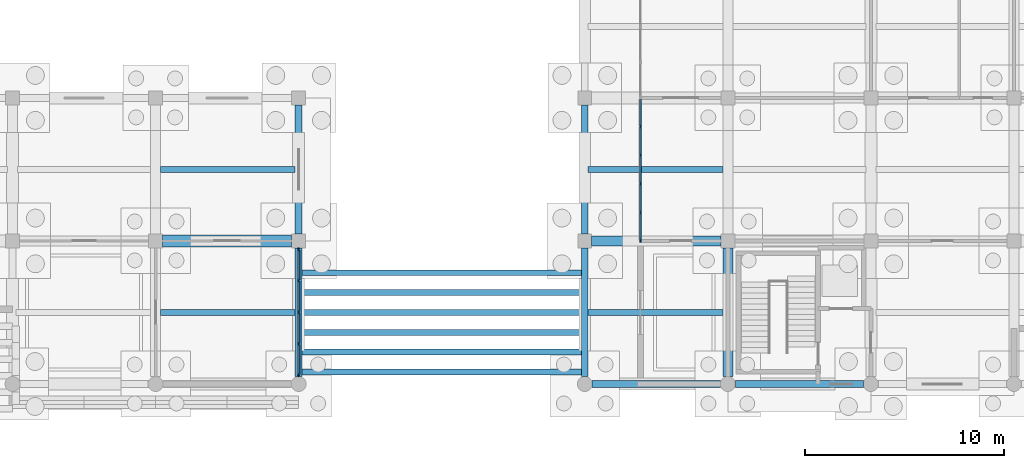
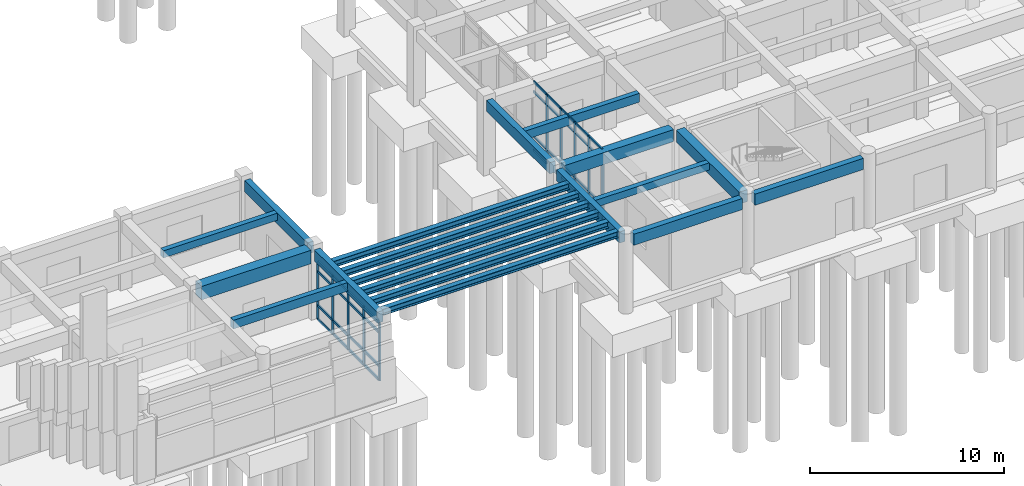
# One storey, part 23 of 79: 46 members, 19 beams, 2 elements without a shape of their own.
"""IFC4 building model written with IfcOpenShell, lengths in metres."""

from ifc_helpers import new_model, si_unit, direction, frame, origin, origin_2d, place, context, subcontext, project, spatial, rectangle, i_section, extrude, material, layer, layer_set, material_profile, profile_set, type_object, element, aggregate, save


model = new_model("IFC4")

# Units and contexts
model_context = context("Model", 3, precision=1e-05, world=origin(), true_north=direction((0.0, 1.0)))
body_context = subcontext(model_context, "Body", "Model", "MODEL_VIEW")
ifc_project = project(units=[si_unit("LENGTHUNIT", "METRE"), si_unit("AREAUNIT", "SQUARE_METRE"), si_unit("VOLUMEUNIT", "CUBIC_METRE"), si_unit("PLANEANGLEUNIT", "RADIAN"), si_unit("MASSUNIT", "GRAM", prefix="KILO")], contexts=[model_context])

# Site, building, storey
site_placement = place(None, origin())
site = spatial("IfcSite", under=ifc_project, at=site_placement, CompositionType="ELEMENT")
building_placement = place(site_placement, origin())
building = spatial("IfcBuilding", under=site, at=building_placement, Name="Kavelor Marine Aquarium", CompositionType="ELEMENT")
storey_placement = place(building_placement, origin())
storey = spatial("IfcBuildingStorey", under=building, at=storey_placement, Name="L00", CompositionType="ELEMENT", Elevation=0.0)

# Beams
ifc_material_1 = material(Name="Concrete C40/50", Category="concrete")
ifc_material_profile_1 = material_profile(ifc_material_1, rectangle(XDim=0.60009765625, YDim=0.85009765625, at=origin_2d()), Name="RC-BM 600x850")
ifc_profile_set_1 = profile_set([ifc_material_profile_1], Name="Concrete C40/50")
beam_type_1 = type_object("IfcBeamType", Name="BM-B1", PredefinedType="BEAM", material=ifc_profile_set_1)
beam_1_placement = place(storey_placement, frame((97.14990234375, 10.0, 3.955078125), z_axis=(1.0, 0.0, 0.0), x_axis=(0.0, 1.0, 0.0)))
element("IfcBeam", 1, at=beam_1_placement, inside=storey, type_object=beam_type_1, Name="bm:x:L00:L01:13_01", PredefinedType="BEAM", context=body_context, shape_type="SweptSolid", body=[
    extrude(rectangle(XDim=0.60009765625, YDim=0.85009765625, at=origin_2d()), origin(), (0.0, 0.0, 1.0), 6.5),
])
ifc_material_2 = material(Name="Concrete C40/50", Category="concrete")
ifc_material_profile_2 = material_profile(ifc_material_2, rectangle(XDim=0.5, YDim=0.75, at=origin_2d()), Name="RC-BM 500x750")
ifc_profile_set_2 = profile_set([ifc_material_profile_2], Name="Concrete C40/50")
beam_type_2 = type_object("IfcBeamType", Name="BM-B2", PredefinedType="BEAM", material=ifc_profile_set_2)
beam_2_placement = place(storey_placement, frame((118.75, 10.0, 4.0048828125), z_axis=(1.0, 0.0, 0.0), x_axis=(0.0, 1.0, 0.0)))
element("IfcBeam", 2, at=beam_2_placement, inside=storey, type_object=beam_type_2, Name="bm:x:L00:L01:16_01", PredefinedType="BEAM", context=body_context, shape_type="SweptSolid", body=[
    extrude(rectangle(XDim=0.5, YDim=0.75, at=origin_2d()), origin(), (0.0, 0.0, 1.0), 6.5),
])
beam_3_placement = place(storey_placement, frame((125.60009765625, 3.175048828125, 4.0048828125), z_axis=(0.0, 1.0, 0.0), x_axis=(-1.0, 0.0, 0.0)))
element("IfcBeam", 3, at=beam_3_placement, inside=storey, type_object=beam_type_2, Name="bm:y:L00:L01:17_00", PredefinedType="BEAM", context=body_context, shape_type="SweptSolid", body=[
    extrude(rectangle(XDim=0.5, YDim=0.75, at=origin_2d()), origin(), (0.0, 0.0, 1.0), 6.474853515625),
])
ifc_material_3 = material(Name="Concrete C40/50", Category="concrete")
ifc_material_profile_3 = material_profile(ifc_material_3, rectangle(XDim=0.300048828125, YDim=0.449951171875, at=origin_2d()), Name="RC-JS 300x450")
ifc_profile_set_3 = profile_set([ifc_material_profile_3], Name="Concrete C40/50")
beam_type_3 = type_object("IfcBeamType", Name="BM-JS1", PredefinedType="JOIST", material=ifc_profile_set_3)
beam_4_placement = place(storey_placement, frame((97.050048828125, 13.60009765625, 4.155029296875), z_axis=(1.0, 0.0, 0.0), x_axis=(0.0, 1.0, 0.0)))
element("IfcBeam", 4, at=beam_4_placement, inside=storey, type_object=beam_type_3, Name="js:L00:L01:13_01", PredefinedType="JOIST", context=body_context, shape_type="SweptSolid", body=[
    extrude(rectangle(XDim=0.300048828125, YDim=0.449951171875, at=origin_2d()), origin(), (0.0, 0.0, 1.0), 6.77490234375),
])
beam_5_placement = place(storey_placement, frame((118.574951171875, 6.39990234375, 4.155029296875), z_axis=(1.0, 0.0, 0.0), x_axis=(0.0, 1.0, 0.0)))
element("IfcBeam", 5, at=beam_5_placement, inside=storey, type_object=beam_type_3, Name="js:L00:L01:16_00", PredefinedType="JOIST", context=body_context, shape_type="SweptSolid", body=[
    extrude(rectangle(XDim=0.300048828125, YDim=0.449951171875, at=origin_2d()), origin(), (0.0, 0.0, 1.0), 6.775146484375),
])
ifc_material_4 = material(Name="Concrete C40/50", Category="concrete")
ifc_material_profile_4 = material_profile(ifc_material_4, rectangle(XDim=0.300048828125, YDim=0.550048828125, at=origin_2d()), Name="RC-JS 300x550")
ifc_profile_set_4 = profile_set([ifc_material_profile_4], Name="Concrete C40/50")
beam_type_4 = type_object("IfcBeamType", Name="BM-JS2", PredefinedType="JOIST", material=ifc_profile_set_4)
beam_6_placement = place(storey_placement, frame((97.050048828125, 6.39990234375, 4.10498046875), z_axis=(1.0, 0.0, 0.0), x_axis=(0.0, 1.0, 0.0)))
element("IfcBeam", 6, at=beam_6_placement, inside=storey, type_object=beam_type_4, Name="js:L00:L01:13_00", PredefinedType="JOIST", context=body_context, shape_type="SweptSolid", body=[
    extrude(rectangle(XDim=0.300048828125, YDim=0.550048828125, at=origin_2d()), origin(), (0.0, 0.0, 1.0), 6.77490234375),
])
beam_7_placement = place(storey_placement, frame((118.574951171875, 13.60009765625, 4.10498046875), z_axis=(1.0, 0.0, 0.0), x_axis=(0.0, 1.0, 0.0)))
element("IfcBeam", 7, at=beam_7_placement, inside=storey, type_object=beam_type_4, Name="js:L00:L01:16_01", PredefinedType="JOIST", context=body_context, shape_type="SweptSolid", body=[
    extrude(rectangle(XDim=0.300048828125, YDim=0.550048828125, at=origin_2d()), origin(), (0.0, 0.0, 1.0), 6.775146484375),
])
ifc_material_5 = material(Name="Steel S355", Category="steel")
ifc_material_profile_5 = material_profile(ifc_material_5, i_section(OverallWidth=0.300048828125, OverallDepth=0.39990234375, WebThickness=0.013427734375, FlangeThickness=0.02392578125, FilletRadius=0.027099609375, at=origin_2d()), Name="HEB 400")
ifc_profile_set_5 = profile_set([ifc_material_profile_5], Name="Steel S355")
beam_type_5 = type_object("IfcBeamType", Name="BM-SB4", PredefinedType="BEAM", material=ifc_profile_set_5)
for number, where, z_axis, x_axis, name in (
    (8, (104.175048828125, 3.39990234375, 4.179931640625), (1.0, 0.0, 0.0), (0.0, 1.0, 0.0), "bm:portal:south:1"),
    (9, (104.175048828125, 4.39990234375, 4.179931640625), (1.0, 0.0, 0.0), (0.0, 1.0, 0.0), "bm:portal:south:2"),
    (10, (104.175048828125, 5.39990234375, 4.179931640625), (1.0, 0.0, 0.0), (0.0, 1.0, 0.0), "bm:portal:south:3"),
    (11, (104.175048828125, 6.39990234375, 4.179931640625), (1.0, 0.0, 0.0), (0.0, 1.0, 0.0), "bm:portal:south:4"),
    (12, (104.175048828125, 7.39990234375, 4.179931640625), (1.0, 0.0, 0.0), (0.0, 1.0, 0.0), "bm:portal:south:5"),
    (13, (104.175048828125, 8.39990234375, 4.179931640625), (1.0, 0.0, 0.0), (0.0, 1.0, 0.0), "bm:portal:south:6"),
):
    element("IfcBeam", number, at=place(storey_placement, frame(where, z_axis=z_axis, x_axis=x_axis)), inside=storey, type_object=beam_type_5, Name=name, PredefinedType="BEAM", context=body_context, shape_type="SweptSolid", body=[
        extrude(i_section(OverallWidth=0.300048828125, OverallDepth=0.39990234375, WebThickness=0.013427734375, FlangeThickness=0.02392578125, FilletRadius=0.027099609375, at=origin_2d()), origin(), (0.0, 0.0, 1.0), 14.050048828125),
    ])
ifc_material_6 = material(Name="Concrete C40/50", Category="concrete")
ifc_material_profile_6 = material_profile(ifc_material_6, rectangle(XDim=0.35009765625, YDim=0.699951171875, at=origin_2d()), Name="RC-SP 350x700")
ifc_profile_set_6 = profile_set([ifc_material_profile_6], Name="Concrete C40/50")
beam_type_6 = type_object("IfcBeamType", Name="BM-SP1", PredefinedType="SPANDREL", material=ifc_profile_set_6)
beam_8_placement = place(storey_placement, frame((118.77490234375, 2.800048828125, 4.030029296875), z_axis=(1.0, 0.0, 0.0), x_axis=(0.0, 1.0, 0.0)))
element("IfcBeam", 14, at=beam_8_placement, inside=storey, type_object=beam_type_6, Name="bm:x:L00:L01:16_00", PredefinedType="SPANDREL", context=body_context, shape_type="SweptSolid", body=[
    extrude(rectangle(XDim=0.35009765625, YDim=0.699951171875, at=origin_2d()), origin(), (0.0, 0.0, 1.0), 6.4501953125),
])
beam_9_placement = place(storey_placement, frame((125.97509765625, 2.800048828125, 4.030029296875), z_axis=(1.0, 0.0, 0.0), x_axis=(0.0, 1.0, 0.0)))
element("IfcBeam", 15, at=beam_9_placement, inside=storey, type_object=beam_type_6, Name="bm:x:L00:L01:17_00", PredefinedType="SPANDREL", context=body_context, shape_type="SweptSolid", body=[
    extrude(rectangle(XDim=0.35009765625, YDim=0.699951171875, at=origin_2d()), origin(), (0.0, 0.0, 1.0), 6.449951171875),
])
beam_10_placement = place(storey_placement, frame((104.0, 3.175048828125, 4.030029296875), z_axis=(0.0, 1.0, 0.0), x_axis=(-1.0, 0.0, 0.0)))
element("IfcBeam", 16, at=beam_10_placement, inside=storey, type_object=beam_type_6, Name="bm:y:L00:L01:14_00", PredefinedType="SPANDREL", context=body_context, shape_type="SweptSolid", body=[
    extrude(rectangle(XDim=0.35009765625, YDim=0.699951171875, at=origin_2d()), origin(), (0.0, 0.0, 1.0), 6.474853515625),
])
beam_11_placement = place(storey_placement, frame((104.0, 10.35009765625, 4.030029296875), z_axis=(0.0, 1.0, 0.0), x_axis=(-1.0, 0.0, 0.0)))
element("IfcBeam", 17, at=beam_11_placement, inside=storey, type_object=beam_type_6, Name="bm:y:L00:L01:14_01", PredefinedType="SPANDREL", context=body_context, shape_type="SweptSolid", body=[
    extrude(rectangle(XDim=0.35009765625, YDim=0.699951171875, at=origin_2d()), origin(), (0.0, 0.0, 1.0), 6.5),
])
beam_12_placement = place(storey_placement, frame((118.39990234375, 3.175048828125, 4.030029296875), z_axis=(0.0, 1.0, 0.0), x_axis=(-1.0, 0.0, 0.0)))
element("IfcBeam", 18, at=beam_12_placement, inside=storey, type_object=beam_type_6, Name="bm:y:L00:L01:16_00", PredefinedType="SPANDREL", context=body_context, shape_type="SweptSolid", body=[
    extrude(rectangle(XDim=0.35009765625, YDim=0.699951171875, at=origin_2d()), origin(), (0.0, 0.0, 1.0), 6.474853515625),
])
beam_13_placement = place(storey_placement, frame((118.39990234375, 10.35009765625, 4.030029296875), z_axis=(0.0, 1.0, 0.0), x_axis=(-1.0, 0.0, 0.0)))
element("IfcBeam", 19, at=beam_13_placement, inside=storey, type_object=beam_type_6, Name="bm:y:L00:L01:16_01", PredefinedType="SPANDREL", context=body_context, shape_type="SweptSolid", body=[
    extrude(rectangle(XDim=0.35009765625, YDim=0.699951171875, at=origin_2d()), origin(), (0.0, 0.0, 1.0), 6.5),
])

# Curtain wall, members
ifc_material_7 = material(Name="Thermally Broken Aluminium and Low-E Glass", Category="aluminium")
ifc_layer_1 = layer(ifc_material_7, 0.219970703125)
ifc_layer_set_1 = layer_set([ifc_layer_1], Name="CW-SYS10")
curtain_wall_type_1 = type_object("IfcCurtainWallType", Name="CW-SYS10", PredefinedType="USERDEFINED", material=ifc_layer_set_1)
curtain_wall_1_placement = place(storey_placement, origin())
curtain_wall_1 = element("IfcCurtainWall", 20, at=curtain_wall_1_placement, inside=storey, type_object=curtain_wall_type_1, Name="cw:y:L00:14_00", ObjectType="Curtain Wall", PredefinedType="USERDEFINED")
ifc_material_8 = material(Name="Anodised Aluminium Alloy 6063-T6", Category="aluminium")
ifc_material_profile_7 = material_profile(ifc_material_8, rectangle(XDim=0.074951171875, YDim=0.179931640625, at=origin_2d()), Name="CW-MUL 75x180")
ifc_profile_set_7 = profile_set([ifc_material_profile_7], Name="Anodised Aluminium Alloy 6063-T6")
member_type_1 = type_object("IfcMemberType", Name="CWM-1", PredefinedType="MULLION", material=ifc_profile_set_7)
member_1_placement = place(storey_placement, frame((104.0, 3.257568359375, 0.0), z_axis=(0.0, 0.0, 1.0), x_axis=(-1.0, 0.0, 0.0)))
member_1 = element("IfcMember", 21, at=member_1_placement, type_object=member_type_1, Name="CW10 mullion 1", PredefinedType="MULLION", context=body_context, shape_type="SweptSolid", body=[
    extrude(rectangle(XDim=0.074951171875, YDim=0.179931640625, at=origin_2d()), origin(), (0.0, 0.0, 1.0), 3.669921875),
])
member_2_placement = place(storey_placement, frame((104.0, 4.816162109375, 0.0), z_axis=(0.0, 0.0, 1.0), x_axis=(-1.0, 0.0, 0.0)))
member_2 = element("IfcMember", 22, at=member_2_placement, type_object=member_type_1, Name="CW10 mullion 2", PredefinedType="MULLION", context=body_context, shape_type="SweptSolid", body=[
    extrude(rectangle(XDim=0.074951171875, YDim=0.179931640625, at=origin_2d()), origin(), (0.0, 0.0, 1.0), 3.669921875),
])
member_3_placement = place(storey_placement, frame((104.0, 6.41259765625, 0.0), z_axis=(0.0, 0.0, 1.0), x_axis=(-1.0, 0.0, 0.0)))
member_3 = element("IfcMember", 23, at=member_3_placement, type_object=member_type_1, Name="CW10 mullion 3", PredefinedType="MULLION", context=body_context, shape_type="SweptSolid", body=[
    extrude(rectangle(XDim=0.074951171875, YDim=0.179931640625, at=origin_2d()), origin(), (0.0, 0.0, 1.0), 3.669921875),
])
member_4_placement = place(storey_placement, frame((104.0, 8.0087890625, 0.0), z_axis=(0.0, 0.0, 1.0), x_axis=(-1.0, 0.0, 0.0)))
member_4 = element("IfcMember", 24, at=member_4_placement, type_object=member_type_1, Name="CW10 mullion 4", PredefinedType="MULLION", context=body_context, shape_type="SweptSolid", body=[
    extrude(rectangle(XDim=0.074951171875, YDim=0.179931640625, at=origin_2d()), origin(), (0.0, 0.0, 1.0), 3.669921875),
])
member_5_placement = place(storey_placement, frame((104.0, 9.5673828125, 0.0), z_axis=(0.0, 0.0, 1.0), x_axis=(-1.0, 0.0, 0.0)))
member_5 = element("IfcMember", 25, at=member_5_placement, type_object=member_type_1, Name="CW10 mullion 5", PredefinedType="MULLION", context=body_context, shape_type="SweptSolid", body=[
    extrude(rectangle(XDim=0.074951171875, YDim=0.179931640625, at=origin_2d()), origin(), (0.0, 0.0, 1.0), 3.669921875),
])

ifc_material_9 = material(Name="Thermally Broken Aluminium and Low-E Glass", Category="aluminium")
ifc_layer_2 = layer(ifc_material_9, 0.236083984375)
ifc_layer_set_2 = layer_set([ifc_layer_2], Name="CW-SYS12")
curtain_wall_type_2 = type_object("IfcCurtainWallType", Name="CW-SYS12", PredefinedType="USERDEFINED", material=ifc_layer_set_2)
curtain_wall_2_placement = place(storey_placement, origin())
curtain_wall_2 = element("IfcCurtainWall", 26, at=curtain_wall_2_placement, inside=storey, type_object=curtain_wall_type_2, Name="cw:arc:v3w:01", ObjectType="Curtain Wall", PredefinedType="USERDEFINED")
ifc_material_10 = material(Name="Anodised Aluminium Alloy 6063-T6", Category="aluminium")
ifc_material_profile_8 = material_profile(ifc_material_10, rectangle(XDim=0.0849609375, YDim=0.18994140625, at=origin_2d()), Name="CW-MUL 85x190")
ifc_profile_set_8 = profile_set([ifc_material_profile_8], Name="Anodised Aluminium Alloy 6063-T6")
member_type_2 = type_object("IfcMemberType", Name="CWM-3", PredefinedType="MULLION", material=ifc_profile_set_8)
member_6_placement = place(storey_placement, frame((121.199951171875, 15.760009765625, 0.0), z_axis=(0.0, 0.0, 1.0), x_axis=(1.0, 0.0, 0.0)))
member_6 = element("IfcMember", 27, at=member_6_placement, type_object=member_type_2, Name="CW12 mullion 2", PredefinedType="MULLION", context=body_context, shape_type="SweptSolid", body=[
    extrude(rectangle(XDim=0.0849609375, YDim=0.18994140625, at=origin_2d()), origin(), (0.0, 0.0, 1.0), 4.3701171875),
])
member_7_placement = place(storey_placement, frame((121.199951171875, 14.320068359375, 0.0), z_axis=(0.0, 0.0, 1.0), x_axis=(1.0, 0.0, 0.0)))
member_7 = element("IfcMember", 28, at=member_7_placement, type_object=member_type_2, Name="CW12 mullion 3", PredefinedType="MULLION", context=body_context, shape_type="SweptSolid", body=[
    extrude(rectangle(XDim=0.0849609375, YDim=0.18994140625, at=origin_2d()), origin(), (0.0, 0.0, 1.0), 4.3701171875),
])
member_8_placement = place(storey_placement, frame((121.199951171875, 12.8798828125, 0.0), z_axis=(0.0, 0.0, 1.0), x_axis=(1.0, 0.0, 0.0)))
member_8 = element("IfcMember", 29, at=member_8_placement, type_object=member_type_2, Name="CW12 mullion 4", PredefinedType="MULLION", context=body_context, shape_type="SweptSolid", body=[
    extrude(rectangle(XDim=0.0849609375, YDim=0.18994140625, at=origin_2d()), origin(), (0.0, 0.0, 1.0), 4.3701171875),
])
member_9_placement = place(storey_placement, frame((121.199951171875, 11.43994140625, 0.0), z_axis=(0.0, 0.0, 1.0), x_axis=(1.0, 0.0, 0.0)))
member_9 = element("IfcMember", 30, at=member_9_placement, type_object=member_type_2, Name="CW12 mullion 5", PredefinedType="MULLION", context=body_context, shape_type="SweptSolid", body=[
    extrude(rectangle(XDim=0.0849609375, YDim=0.18994140625, at=origin_2d()), origin(), (0.0, 0.0, 1.0), 4.3701171875),
])
member_10_placement = place(storey_placement, frame((121.199951171875, 10.030029296875, 0.0), z_axis=(0.0, 0.0, 1.0), x_axis=(1.0, 0.0, 0.0)))
member_10 = element("IfcMember", 31, at=member_10_placement, type_object=member_type_2, Name="CW12 mullion 6", PredefinedType="MULLION", context=body_context, shape_type="SweptSolid", body=[
    extrude(rectangle(XDim=0.0849609375, YDim=0.18994140625, at=origin_2d()), origin(), (0.0, 0.0, 1.0), 4.3701171875),
])
ifc_material_11 = material(Name="Anodised Aluminium Alloy 6063-T6", Category="aluminium")
ifc_material_profile_9 = material_profile(ifc_material_11, rectangle(XDim=0.074951171875, YDim=0.14990234375, at=origin_2d()), Name="CW-TRN 75x150")
ifc_profile_set_9 = profile_set([ifc_material_profile_9], Name="Anodised Aluminium Alloy 6063-T6")
member_type_3 = type_object("IfcMemberType", Name="CWT-1", PredefinedType="USERDEFINED", material=ifc_profile_set_9)
member_11_placement = place(storey_placement, frame((121.199951171875, 17.139892578125, 0.03759765625), z_axis=(0.0, -1.0, 0.0), x_axis=(1.0, 0.0, 0.0)))
member_11 = element("IfcMember", 32, at=member_11_placement, type_object=member_type_3, Name="CW12 transom 1.1", ObjectType="TRANSOM", PredefinedType="USERDEFINED", context=body_context, shape_type="SweptSolid", body=[
    extrude(rectangle(XDim=0.074951171875, YDim=0.14990234375, at=origin_2d()), origin(), (0.0, 0.0, 1.0), 1.349853515625),
])
member_12_placement = place(storey_placement, frame((121.199951171875, 17.139892578125, 0.89990234375), z_axis=(0.0, -1.0, 0.0), x_axis=(1.0, 0.0, 0.0)))
member_12 = element("IfcMember", 33, at=member_12_placement, type_object=member_type_3, Name="CW12 transom 1.2", ObjectType="TRANSOM", PredefinedType="USERDEFINED", context=body_context, shape_type="SweptSolid", body=[
    extrude(rectangle(XDim=0.074951171875, YDim=0.14990234375, at=origin_2d()), origin(), (0.0, 0.0, 1.0), 1.349853515625),
])
member_13_placement = place(storey_placement, frame((121.199951171875, 17.139892578125, 3.719970703125), z_axis=(0.0, -1.0, 0.0), x_axis=(1.0, 0.0, 0.0)))
member_13 = element("IfcMember", 34, at=member_13_placement, type_object=member_type_3, Name="CW12 transom 1.3", ObjectType="TRANSOM", PredefinedType="USERDEFINED", context=body_context, shape_type="SweptSolid", body=[
    extrude(rectangle(XDim=0.074951171875, YDim=0.14990234375, at=origin_2d()), origin(), (0.0, 0.0, 1.0), 1.349853515625),
])
member_14_placement = place(storey_placement, frame((121.199951171875, 17.139892578125, 4.33251953125), z_axis=(0.0, -1.0, 0.0), x_axis=(1.0, 0.0, 0.0)))
member_14 = element("IfcMember", 35, at=member_14_placement, type_object=member_type_3, Name="CW12 transom 1.4", ObjectType="TRANSOM", PredefinedType="USERDEFINED", context=body_context, shape_type="SweptSolid", body=[
    extrude(rectangle(XDim=0.074951171875, YDim=0.14990234375, at=origin_2d()), origin(), (0.0, 0.0, 1.0), 1.349853515625),
])
member_15_placement = place(storey_placement, frame((121.199951171875, 15.72998046875, 0.03759765625), z_axis=(0.0, -1.0, 0.0), x_axis=(1.0, 0.0, 0.0)))
member_15 = element("IfcMember", 36, at=member_15_placement, type_object=member_type_3, Name="CW12 transom 2.1", ObjectType="TRANSOM", PredefinedType="USERDEFINED", context=body_context, shape_type="SweptSolid", body=[
    extrude(rectangle(XDim=0.074951171875, YDim=0.14990234375, at=origin_2d()), origin(), (0.0, 0.0, 1.0), 1.3798828125),
])
member_16_placement = place(storey_placement, frame((121.199951171875, 15.72998046875, 0.89990234375), z_axis=(0.0, -1.0, 0.0), x_axis=(1.0, 0.0, 0.0)))
member_16 = element("IfcMember", 37, at=member_16_placement, type_object=member_type_3, Name="CW12 transom 2.2", ObjectType="TRANSOM", PredefinedType="USERDEFINED", context=body_context, shape_type="SweptSolid", body=[
    extrude(rectangle(XDim=0.074951171875, YDim=0.14990234375, at=origin_2d()), origin(), (0.0, 0.0, 1.0), 1.3798828125),
])
member_17_placement = place(storey_placement, frame((121.199951171875, 15.72998046875, 3.719970703125), z_axis=(0.0, -1.0, 0.0), x_axis=(1.0, 0.0, 0.0)))
member_17 = element("IfcMember", 38, at=member_17_placement, type_object=member_type_3, Name="CW12 transom 2.3", ObjectType="TRANSOM", PredefinedType="USERDEFINED", context=body_context, shape_type="SweptSolid", body=[
    extrude(rectangle(XDim=0.074951171875, YDim=0.14990234375, at=origin_2d()), origin(), (0.0, 0.0, 1.0), 1.3798828125),
])
member_18_placement = place(storey_placement, frame((121.199951171875, 15.72998046875, 4.33251953125), z_axis=(0.0, -1.0, 0.0), x_axis=(1.0, 0.0, 0.0)))
member_18 = element("IfcMember", 39, at=member_18_placement, type_object=member_type_3, Name="CW12 transom 2.4", ObjectType="TRANSOM", PredefinedType="USERDEFINED", context=body_context, shape_type="SweptSolid", body=[
    extrude(rectangle(XDim=0.074951171875, YDim=0.14990234375, at=origin_2d()), origin(), (0.0, 0.0, 1.0), 1.3798828125),
])
member_19_placement = place(storey_placement, frame((121.199951171875, 14.2900390625, 0.03759765625), z_axis=(0.0, -1.0, 0.0), x_axis=(1.0, 0.0, 0.0)))
member_19 = element("IfcMember", 40, at=member_19_placement, type_object=member_type_3, Name="CW12 transom 3.1", ObjectType="TRANSOM", PredefinedType="USERDEFINED", context=body_context, shape_type="SweptSolid", body=[
    extrude(rectangle(XDim=0.074951171875, YDim=0.14990234375, at=origin_2d()), origin(), (0.0, 0.0, 1.0), 1.380126953125),
])
member_20_placement = place(storey_placement, frame((121.199951171875, 14.2900390625, 0.89990234375), z_axis=(0.0, -1.0, 0.0), x_axis=(1.0, 0.0, 0.0)))
member_20 = element("IfcMember", 41, at=member_20_placement, type_object=member_type_3, Name="CW12 transom 3.2", ObjectType="TRANSOM", PredefinedType="USERDEFINED", context=body_context, shape_type="SweptSolid", body=[
    extrude(rectangle(XDim=0.074951171875, YDim=0.14990234375, at=origin_2d()), origin(), (0.0, 0.0, 1.0), 1.380126953125),
])
member_21_placement = place(storey_placement, frame((121.199951171875, 14.2900390625, 3.719970703125), z_axis=(0.0, -1.0, 0.0), x_axis=(1.0, 0.0, 0.0)))
member_21 = element("IfcMember", 42, at=member_21_placement, type_object=member_type_3, Name="CW12 transom 3.3", ObjectType="TRANSOM", PredefinedType="USERDEFINED", context=body_context, shape_type="SweptSolid", body=[
    extrude(rectangle(XDim=0.074951171875, YDim=0.14990234375, at=origin_2d()), origin(), (0.0, 0.0, 1.0), 1.380126953125),
])
member_22_placement = place(storey_placement, frame((121.199951171875, 14.2900390625, 4.33251953125), z_axis=(0.0, -1.0, 0.0), x_axis=(1.0, 0.0, 0.0)))
member_22 = element("IfcMember", 43, at=member_22_placement, type_object=member_type_3, Name="CW12 transom 3.4", ObjectType="TRANSOM", PredefinedType="USERDEFINED", context=body_context, shape_type="SweptSolid", body=[
    extrude(rectangle(XDim=0.074951171875, YDim=0.14990234375, at=origin_2d()), origin(), (0.0, 0.0, 1.0), 1.380126953125),
])
member_23_placement = place(storey_placement, frame((121.199951171875, 12.85009765625, 0.03759765625), z_axis=(0.0, -1.0, 0.0), x_axis=(1.0, 0.0, 0.0)))
member_23 = element("IfcMember", 44, at=member_23_placement, type_object=member_type_3, Name="CW12 transom 4.1", ObjectType="TRANSOM", PredefinedType="USERDEFINED", context=body_context, shape_type="SweptSolid", body=[
    extrude(rectangle(XDim=0.074951171875, YDim=0.14990234375, at=origin_2d()), origin(), (0.0, 0.0, 1.0), 1.380126953125),
])
member_24_placement = place(storey_placement, frame((121.199951171875, 12.85009765625, 0.89990234375), z_axis=(0.0, -1.0, 0.0), x_axis=(1.0, 0.0, 0.0)))
member_24 = element("IfcMember", 45, at=member_24_placement, type_object=member_type_3, Name="CW12 transom 4.2", ObjectType="TRANSOM", PredefinedType="USERDEFINED", context=body_context, shape_type="SweptSolid", body=[
    extrude(rectangle(XDim=0.074951171875, YDim=0.14990234375, at=origin_2d()), origin(), (0.0, 0.0, 1.0), 1.380126953125),
])
member_25_placement = place(storey_placement, frame((121.199951171875, 12.85009765625, 3.719970703125), z_axis=(0.0, -1.0, 0.0), x_axis=(1.0, 0.0, 0.0)))
member_25 = element("IfcMember", 46, at=member_25_placement, type_object=member_type_3, Name="CW12 transom 4.3", ObjectType="TRANSOM", PredefinedType="USERDEFINED", context=body_context, shape_type="SweptSolid", body=[
    extrude(rectangle(XDim=0.074951171875, YDim=0.14990234375, at=origin_2d()), origin(), (0.0, 0.0, 1.0), 1.380126953125),
])
member_26_placement = place(storey_placement, frame((121.199951171875, 12.85009765625, 4.33251953125), z_axis=(0.0, -1.0, 0.0), x_axis=(1.0, 0.0, 0.0)))
member_26 = element("IfcMember", 47, at=member_26_placement, type_object=member_type_3, Name="CW12 transom 4.4", ObjectType="TRANSOM", PredefinedType="USERDEFINED", context=body_context, shape_type="SweptSolid", body=[
    extrude(rectangle(XDim=0.074951171875, YDim=0.14990234375, at=origin_2d()), origin(), (0.0, 0.0, 1.0), 1.380126953125),
])
member_27_placement = place(storey_placement, frame((121.199951171875, 11.409912109375, 0.03759765625), z_axis=(0.0, -1.0, 0.0), x_axis=(1.0, 0.0, 0.0)))
member_27 = element("IfcMember", 48, at=member_27_placement, type_object=member_type_3, Name="CW12 transom 5.1", ObjectType="TRANSOM", PredefinedType="USERDEFINED", context=body_context, shape_type="SweptSolid", body=[
    extrude(rectangle(XDim=0.074951171875, YDim=0.14990234375, at=origin_2d()), origin(), (0.0, 0.0, 1.0), 1.349853515625),
])
member_28_placement = place(storey_placement, frame((121.199951171875, 11.409912109375, 0.89990234375), z_axis=(0.0, -1.0, 0.0), x_axis=(1.0, 0.0, 0.0)))
member_28 = element("IfcMember", 49, at=member_28_placement, type_object=member_type_3, Name="CW12 transom 5.2", ObjectType="TRANSOM", PredefinedType="USERDEFINED", context=body_context, shape_type="SweptSolid", body=[
    extrude(rectangle(XDim=0.074951171875, YDim=0.14990234375, at=origin_2d()), origin(), (0.0, 0.0, 1.0), 1.349853515625),
])
member_29_placement = place(storey_placement, frame((121.199951171875, 11.409912109375, 3.719970703125), z_axis=(0.0, -1.0, 0.0), x_axis=(1.0, 0.0, 0.0)))
member_29 = element("IfcMember", 50, at=member_29_placement, type_object=member_type_3, Name="CW12 transom 5.3", ObjectType="TRANSOM", PredefinedType="USERDEFINED", context=body_context, shape_type="SweptSolid", body=[
    extrude(rectangle(XDim=0.074951171875, YDim=0.14990234375, at=origin_2d()), origin(), (0.0, 0.0, 1.0), 1.349853515625),
])
member_30_placement = place(storey_placement, frame((121.199951171875, 11.409912109375, 4.33251953125), z_axis=(0.0, -1.0, 0.0), x_axis=(1.0, 0.0, 0.0)))
member_30 = element("IfcMember", 51, at=member_30_placement, type_object=member_type_3, Name="CW12 transom 5.4", ObjectType="TRANSOM", PredefinedType="USERDEFINED", context=body_context, shape_type="SweptSolid", body=[
    extrude(rectangle(XDim=0.074951171875, YDim=0.14990234375, at=origin_2d()), origin(), (0.0, 0.0, 1.0), 1.349853515625),
])
aggregate(curtain_wall_2, [member_6, member_7, member_8, member_9, member_10, member_11, member_12, member_13, member_14, member_15, member_16, member_17, member_18, member_19, member_20, member_21, member_22, member_23, member_24, member_25, member_26, member_27, member_28, member_29, member_30])

# Member
ifc_material_12 = material(Name="Anodised Aluminium Alloy 6063-T6", Category="aluminium")
ifc_material_profile_10 = material_profile(ifc_material_12, rectangle(XDim=0.0849609375, YDim=0.159912109375, at=origin_2d()), Name="CW-TRN 85x160")
ifc_profile_set_10 = profile_set([ifc_material_profile_10], Name="Anodised Aluminium Alloy 6063-T6")
member_type_4 = type_object("IfcMemberType", Name="CWT-3", PredefinedType="USERDEFINED", material=ifc_profile_set_10)
member_31_placement = place(storey_placement, frame((104.0, 3.294921875, 0.030029296875), z_axis=(0.0, 1.0, 0.0), x_axis=(-1.0, 0.0, 0.0)))
member_31 = element("IfcMember", 52, at=member_31_placement, type_object=member_type_4, Name="CW10 transom 1.1", ObjectType="TRANSOM", PredefinedType="USERDEFINED", context=body_context, shape_type="SweptSolid", body=[
    extrude(rectangle(XDim=0.0849609375, YDim=0.159912109375, at=origin_2d()), origin(), (0.0, 0.0, 1.0), 1.48388671875),
])

member_32_placement = place(storey_placement, frame((104.0, 3.294921875, 0.89990234375), z_axis=(0.0, 1.0, 0.0), x_axis=(-1.0, 0.0, 0.0)))
member_32 = element("IfcMember", 53, at=member_32_placement, type_object=member_type_4, Name="CW10 transom 1.2", ObjectType="TRANSOM", PredefinedType="USERDEFINED", context=body_context, shape_type="SweptSolid", body=[
    extrude(rectangle(XDim=0.0849609375, YDim=0.159912109375, at=origin_2d()), origin(), (0.0, 0.0, 1.0), 1.48388671875),
])

member_33_placement = place(storey_placement, frame((104.0, 3.294921875, 3.02001953125), z_axis=(0.0, 1.0, 0.0), x_axis=(-1.0, 0.0, 0.0)))
member_33 = element("IfcMember", 54, at=member_33_placement, type_object=member_type_4, Name="CW10 transom 1.3", ObjectType="TRANSOM", PredefinedType="USERDEFINED", context=body_context, shape_type="SweptSolid", body=[
    extrude(rectangle(XDim=0.0849609375, YDim=0.159912109375, at=origin_2d()), origin(), (0.0, 0.0, 1.0), 1.48388671875),
])

member_34_placement = place(storey_placement, frame((104.0, 3.294921875, 3.639892578125), z_axis=(0.0, 1.0, 0.0), x_axis=(-1.0, 0.0, 0.0)))
member_34 = element("IfcMember", 55, at=member_34_placement, type_object=member_type_4, Name="CW10 transom 1.4", ObjectType="TRANSOM", PredefinedType="USERDEFINED", context=body_context, shape_type="SweptSolid", body=[
    extrude(rectangle(XDim=0.0849609375, YDim=0.159912109375, at=origin_2d()), origin(), (0.0, 0.0, 1.0), 1.48388671875),
])

member_35_placement = place(storey_placement, frame((104.0, 4.853759765625, 0.030029296875), z_axis=(0.0, 1.0, 0.0), x_axis=(-1.0, 0.0, 0.0)))
member_35 = element("IfcMember", 56, at=member_35_placement, type_object=member_type_4, Name="CW10 transom 2.1", ObjectType="TRANSOM", PredefinedType="USERDEFINED", context=body_context, shape_type="SweptSolid", body=[
    extrude(rectangle(XDim=0.0849609375, YDim=0.159912109375, at=origin_2d()), origin(), (0.0, 0.0, 1.0), 1.521240234375),
])

member_36_placement = place(storey_placement, frame((104.0, 4.853759765625, 0.89990234375), z_axis=(0.0, 1.0, 0.0), x_axis=(-1.0, 0.0, 0.0)))
member_36 = element("IfcMember", 57, at=member_36_placement, type_object=member_type_4, Name="CW10 transom 2.2", ObjectType="TRANSOM", PredefinedType="USERDEFINED", context=body_context, shape_type="SweptSolid", body=[
    extrude(rectangle(XDim=0.0849609375, YDim=0.159912109375, at=origin_2d()), origin(), (0.0, 0.0, 1.0), 1.521240234375),
])

member_37_placement = place(storey_placement, frame((104.0, 4.853759765625, 3.02001953125), z_axis=(0.0, 1.0, 0.0), x_axis=(-1.0, 0.0, 0.0)))
member_37 = element("IfcMember", 58, at=member_37_placement, type_object=member_type_4, Name="CW10 transom 2.3", ObjectType="TRANSOM", PredefinedType="USERDEFINED", context=body_context, shape_type="SweptSolid", body=[
    extrude(rectangle(XDim=0.0849609375, YDim=0.159912109375, at=origin_2d()), origin(), (0.0, 0.0, 1.0), 1.521240234375),
])

member_38_placement = place(storey_placement, frame((104.0, 4.853759765625, 3.639892578125), z_axis=(0.0, 1.0, 0.0), x_axis=(-1.0, 0.0, 0.0)))
member_38 = element("IfcMember", 59, at=member_38_placement, type_object=member_type_4, Name="CW10 transom 2.4", ObjectType="TRANSOM", PredefinedType="USERDEFINED", context=body_context, shape_type="SweptSolid", body=[
    extrude(rectangle(XDim=0.0849609375, YDim=0.159912109375, at=origin_2d()), origin(), (0.0, 0.0, 1.0), 1.521240234375),
])

member_39_placement = place(storey_placement, frame((104.0, 6.449951171875, 0.030029296875), z_axis=(0.0, 1.0, 0.0), x_axis=(-1.0, 0.0, 0.0)))
member_39 = element("IfcMember", 60, at=member_39_placement, type_object=member_type_4, Name="CW10 transom 3.1", ObjectType="TRANSOM", PredefinedType="USERDEFINED", context=body_context, shape_type="SweptSolid", body=[
    extrude(rectangle(XDim=0.0849609375, YDim=0.159912109375, at=origin_2d()), origin(), (0.0, 0.0, 1.0), 1.521240234375),
])

member_40_placement = place(storey_placement, frame((104.0, 6.449951171875, 0.89990234375), z_axis=(0.0, 1.0, 0.0), x_axis=(-1.0, 0.0, 0.0)))
member_40 = element("IfcMember", 61, at=member_40_placement, type_object=member_type_4, Name="CW10 transom 3.2", ObjectType="TRANSOM", PredefinedType="USERDEFINED", context=body_context, shape_type="SweptSolid", body=[
    extrude(rectangle(XDim=0.0849609375, YDim=0.159912109375, at=origin_2d()), origin(), (0.0, 0.0, 1.0), 1.521240234375),
])

member_41_placement = place(storey_placement, frame((104.0, 6.449951171875, 3.02001953125), z_axis=(0.0, 1.0, 0.0), x_axis=(-1.0, 0.0, 0.0)))
member_41 = element("IfcMember", 62, at=member_41_placement, type_object=member_type_4, Name="CW10 transom 3.3", ObjectType="TRANSOM", PredefinedType="USERDEFINED", context=body_context, shape_type="SweptSolid", body=[
    extrude(rectangle(XDim=0.0849609375, YDim=0.159912109375, at=origin_2d()), origin(), (0.0, 0.0, 1.0), 1.521240234375),
])

member_42_placement = place(storey_placement, frame((104.0, 6.449951171875, 3.639892578125), z_axis=(0.0, 1.0, 0.0), x_axis=(-1.0, 0.0, 0.0)))
member_42 = element("IfcMember", 63, at=member_42_placement, type_object=member_type_4, Name="CW10 transom 3.4", ObjectType="TRANSOM", PredefinedType="USERDEFINED", context=body_context, shape_type="SweptSolid", body=[
    extrude(rectangle(XDim=0.0849609375, YDim=0.159912109375, at=origin_2d()), origin(), (0.0, 0.0, 1.0), 1.521240234375),
])

member_43_placement = place(storey_placement, frame((104.0, 8.046142578125, 0.030029296875), z_axis=(0.0, 1.0, 0.0), x_axis=(-1.0, 0.0, 0.0)))
member_43 = element("IfcMember", 64, at=member_43_placement, type_object=member_type_4, Name="CW10 transom 4.1", ObjectType="TRANSOM", PredefinedType="USERDEFINED", context=body_context, shape_type="SweptSolid", body=[
    extrude(rectangle(XDim=0.0849609375, YDim=0.159912109375, at=origin_2d()), origin(), (0.0, 0.0, 1.0), 1.48388671875),
])

member_44_placement = place(storey_placement, frame((104.0, 8.046142578125, 0.89990234375), z_axis=(0.0, 1.0, 0.0), x_axis=(-1.0, 0.0, 0.0)))
member_44 = element("IfcMember", 65, at=member_44_placement, type_object=member_type_4, Name="CW10 transom 4.2", ObjectType="TRANSOM", PredefinedType="USERDEFINED", context=body_context, shape_type="SweptSolid", body=[
    extrude(rectangle(XDim=0.0849609375, YDim=0.159912109375, at=origin_2d()), origin(), (0.0, 0.0, 1.0), 1.48388671875),
])

member_45_placement = place(storey_placement, frame((104.0, 8.046142578125, 3.02001953125), z_axis=(0.0, 1.0, 0.0), x_axis=(-1.0, 0.0, 0.0)))
member_45 = element("IfcMember", 66, at=member_45_placement, type_object=member_type_4, Name="CW10 transom 4.3", ObjectType="TRANSOM", PredefinedType="USERDEFINED", context=body_context, shape_type="SweptSolid", body=[
    extrude(rectangle(XDim=0.0849609375, YDim=0.159912109375, at=origin_2d()), origin(), (0.0, 0.0, 1.0), 1.48388671875),
])

member_46_placement = place(storey_placement, frame((104.0, 8.046142578125, 3.639892578125), z_axis=(0.0, 1.0, 0.0), x_axis=(-1.0, 0.0, 0.0)))
member_46 = element("IfcMember", 67, at=member_46_placement, type_object=member_type_4, Name="CW10 transom 4.4", ObjectType="TRANSOM", PredefinedType="USERDEFINED", context=body_context, shape_type="SweptSolid", body=[
    extrude(rectangle(XDim=0.0849609375, YDim=0.159912109375, at=origin_2d()), origin(), (0.0, 0.0, 1.0), 1.48388671875),
])

aggregate(curtain_wall_1, [member_1, member_2, member_3, member_4, member_5, member_31, member_32, member_33, member_34, member_35, member_36, member_37, member_38, member_39, member_40, member_41, member_42, member_43, member_44, member_45, member_46])

save(model, "model.ifc")
